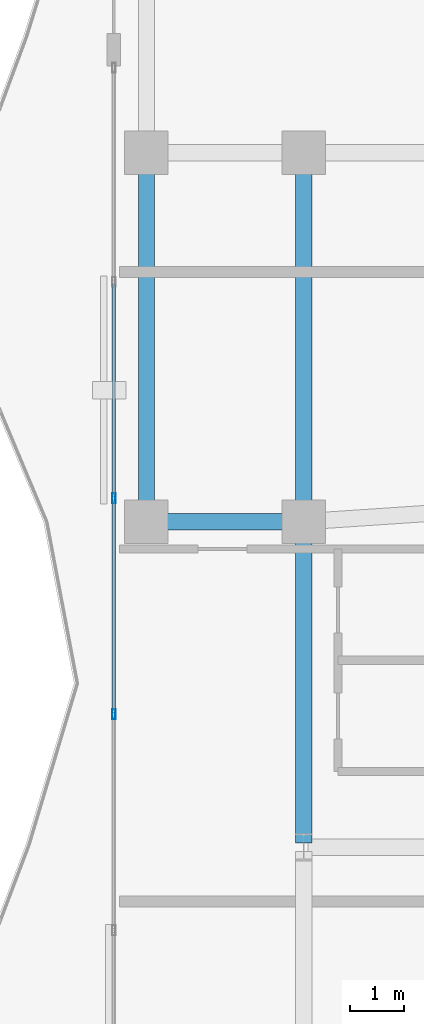
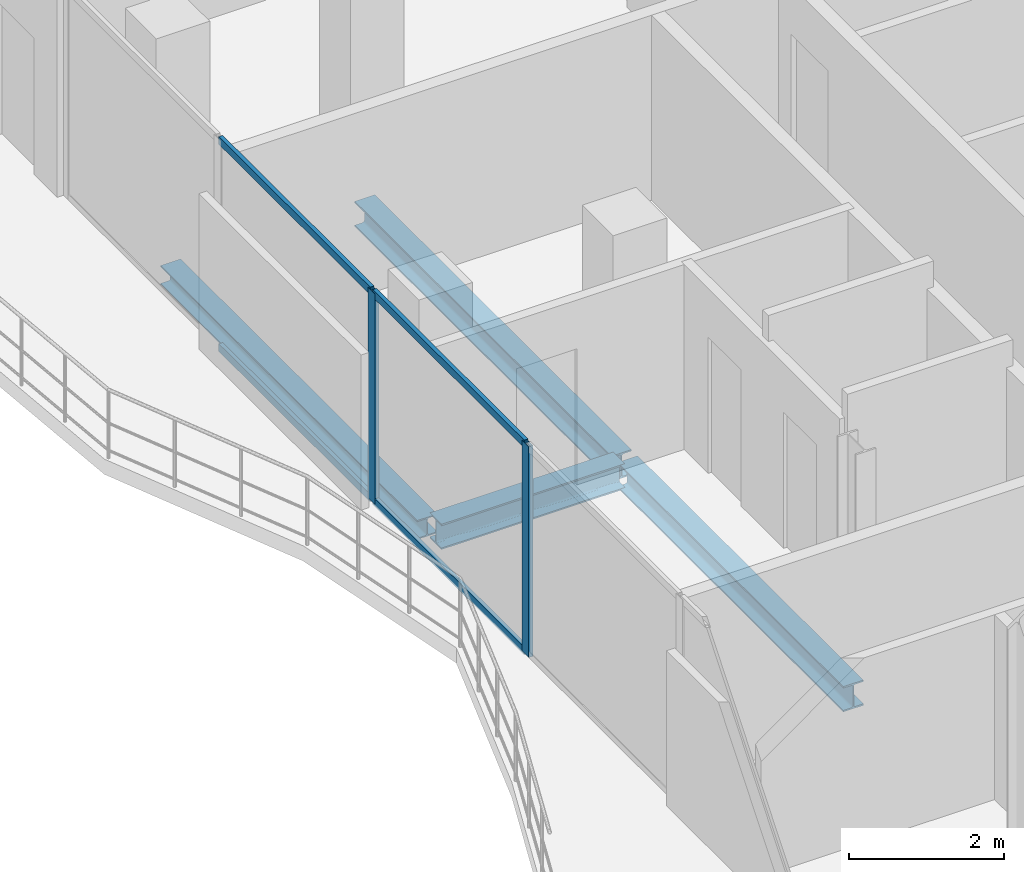
# One storey, part 7 of 23: 6 members, 4 beams, 1 element without a shape of its own.
"""IFC4 building model written with IfcOpenShell, lengths in metres."""

import ifcopenshell
import ifcopenshell.guid

model = None  # the IFC model being written
_history = None  # IfcOwnerHistory: only IFC2X3 demands one
_inside = {}  # id of a spatial element -> (the spatial element, [elements in it])
_under = {}  # id of a project, library or spatial element -> (it, [spatial elements below it])
_declared = {}  # id of a project -> (the project, [libraries it declares])
_typed = {}  # id of a type object -> (the type object, [elements of that type])
_made_of = {}  # id of a material, layer set ... -> (it, [elements and type objects made of it])


def new_model(schema):
    """Start an empty IFC model of exactly this schema.

    Asked for "IFC4X3", IfcOpenShell would pick the latest addendum, in which some entities
    have other attributes; the version numbers below select the first issue.
    IFC2X3 requires an IfcOwnerHistory on every rooted entity: one is made here for all.
    """
    global model, _history
    if schema == "IFC4X3":
        model = ifcopenshell.file(schema_version=(4, 3, 0, 0))
    else:
        model = ifcopenshell.file(schema=schema)
    _inside.clear()
    _under.clear()
    _declared.clear()
    _typed.clear()
    _made_of.clear()
    _history = None
    if model.schema == "IFC2X3":
        org = make("IfcOrganization", Name="unknown")
        user = make(
            "IfcPersonAndOrganization",
            ThePerson=make("IfcPerson", FamilyName="unknown"),
            TheOrganization=org,
        )
        app = make(
            "IfcApplication",
            ApplicationDeveloper=org,
            Version="unknown",
            ApplicationFullName="unknown",
            ApplicationIdentifier="unknown",
        )
        _history = make(
            "IfcOwnerHistory",
            OwningUser=user,
            OwningApplication=app,
            ChangeAction="ADDED",
            CreationDate=0,
        )
    return model


def make(cls, **values):
    """One entity of the class cls with the attributes given. An attribute that is None is left unset."""
    return model.create_entity(
        cls, **{name: value for name, value in values.items() if value is not None}
    )


def rooted(cls, **values):
    """An entity with a GlobalId (a new one), such as an element, a storey or a relation."""
    return make(cls, GlobalId=ifcopenshell.guid.new(), OwnerHistory=_history, **values)


def si_unit(unit_type, name, prefix=None):
    """IfcSIUnit, for example si_unit("LENGTHUNIT", "METRE", prefix="MILLI")."""
    return make("IfcSIUnit", UnitType=unit_type, Prefix=prefix, Name=name)


def assignment(units):
    """IfcUnitAssignment: the units of a project."""
    return None if units is None else make("IfcUnitAssignment", Units=units)


def point(xyz):
    """IfcCartesianPoint."""
    return None if xyz is None else make("IfcCartesianPoint", Coordinates=xyz)


def direction(xyz):
    """IfcDirection."""
    return None if xyz is None else make("IfcDirection", DirectionRatios=xyz)


def frame(location, z_axis=None, x_axis=None):
    """IfcAxis2Placement3D, a coordinate frame: its origin and axes. An axis left out is left unset."""
    return make(
        "IfcAxis2Placement3D",
        Location=point(location),
        Axis=direction(z_axis),
        RefDirection=direction(x_axis),
    )


def frame_2d(location, x_axis=None):
    """IfcAxis2Placement2D, a coordinate frame in the plane: its origin and x axis."""
    return make(
        "IfcAxis2Placement2D", Location=point(location), RefDirection=direction(x_axis)
    )


def origin():
    """The frame at (0, 0, 0) with its axes left unset."""
    return frame((0.0, 0.0, 0.0))


def origin_2d():
    """The frame at (0, 0) in the plane with its x axis left unset."""
    return frame_2d((0.0, 0.0))


def place(relative_to, where):
    """IfcLocalPlacement: puts the frame where relative to a parent placement (None: the world)."""
    return make(
        "IfcLocalPlacement", PlacementRelTo=relative_to, RelativePlacement=where
    )


def context(
    kind, dimensions, precision=None, world=None, true_north=None, identifier=None
):
    """IfcGeometricRepresentationContext, for example the 3D "Model" context."""
    return make(
        "IfcGeometricRepresentationContext",
        ContextIdentifier=identifier,
        ContextType=kind,
        CoordinateSpaceDimension=dimensions,
        Precision=precision,
        WorldCoordinateSystem=world,
        TrueNorth=true_north,
    )


def subcontext(parent, identifier, kind, view, scale=None):
    """IfcGeometricRepresentationSubContext, for example "Body" below "Model"."""
    return make(
        "IfcGeometricRepresentationSubContext",
        ContextIdentifier=identifier,
        ContextType=kind,
        ParentContext=parent,
        TargetScale=scale,
        TargetView=view,
    )


def project(units=None, contexts=None):
    """IfcProject with its units and contexts."""
    return rooted(
        "IfcProject",
        Name="project",
        RepresentationContexts=contexts,
        UnitsInContext=assignment(units),
    )


def spatial(cls, under=None, at=None, **own):
    """A site, building, storey or space (cls), placed at a placement, below another one or the project."""
    s = rooted(cls, ObjectPlacement=at, **own)
    if under is not None:
        _under.setdefault(under.id(), (under, []))[1].append(s)
    return s


def profile(cls, at=None, kind="AREA", **sizes):
    """A parametric profile (cls). Its sizes go by their IFC names, for example OverallWidth=200.0."""
    return make(cls, ProfileType=kind, Position=at, **sizes)


def hollow_rectangle(**sizes):
    """IfcRectangleHollowProfileDef."""
    return profile("IfcRectangleHollowProfileDef", **sizes)


def i_section(**sizes):
    """IfcIShapeProfileDef."""
    return profile("IfcIShapeProfileDef", **sizes)


def extrude(swept, where, along, depth):
    """IfcExtrudedAreaSolid: the profile swept, set in the frame where, extruded along a direction by depth."""
    return make(
        "IfcExtrudedAreaSolid",
        SweptArea=swept,
        Position=where,
        ExtrudedDirection=direction(along),
        Depth=depth,
    )


def shape(context_of_items, identifier, shape_type, items):
    """IfcShapeRepresentation: the items that make up one representation, for example the "Body"."""
    return make(
        "IfcShapeRepresentation",
        ContextOfItems=context_of_items,
        RepresentationIdentifier=identifier,
        RepresentationType=shape_type,
        Items=items,
    )


def material(Name=None, Category=None):
    """IfcMaterial."""
    return make("IfcMaterial", Name=Name, Category=Category)


def layer(
    of_material, thickness, ventilated=None, Name=None, Category=None, Priority=None
):
    """IfcMaterialLayer: one layer of a wall or slab, of a material (None: an air gap)."""
    return make(
        "IfcMaterialLayer",
        Material=of_material,
        LayerThickness=thickness,
        IsVentilated=ventilated,
        Name=Name,
        Category=Category,
        Priority=Priority,
    )


def layer_set(layers, Name=None):
    """IfcMaterialLayerSet."""
    return make("IfcMaterialLayerSet", MaterialLayers=layers, LayerSetName=Name)


def material_profile(
    of_material, cross_section, Name=None, Category=None, Priority=None
):
    """IfcMaterialProfile: a cross section and its material."""
    return make(
        "IfcMaterialProfile",
        Name=Name,
        Material=of_material,
        Profile=cross_section,
        Priority=Priority,
        Category=Category,
    )


def profile_set(profiles, Name=None, composite=None):
    """IfcMaterialProfileSet."""
    return make(
        "IfcMaterialProfileSet",
        Name=Name,
        MaterialProfiles=profiles,
        CompositeProfile=composite,
    )


def made_of(thing, what):
    """Note that an element or type object is made of a material, layer set ...; save() writes the relation."""
    if what is not None:
        _made_of.setdefault(what.id(), (what, []))[1].append(thing)
    return thing


def type_object(cls, material=None, **own):
    """A type object (cls), such as IfcWallType, which elements share."""
    return made_of(rooted(cls, **own), material)


def element(
    cls,
    number,
    at=None,
    inside=None,
    cuts=None,
    type_object=None,
    material=None,
    context=None,
    identifier="Body",
    shape_type=None,
    held_by="IfcProductDefinitionShape",
    body=None,
    shapes=None,
    **own,
):
    """One element of the class cls, such as IfcWall. Its Tag is "e" and its number.

    at: its placement. inside: the storey or other place that contains it. cuts: it is an
    opening in that element (IfcRelVoidsElement). A single representation is given by context,
    identifier, shape_type and body (its items); several are given by shapes. held_by: the class
    of the entity that holds the representations. save() writes the other relations.
    """
    e = rooted(cls, Tag="e%d" % number, ObjectPlacement=at, **own)
    if body is not None:
        shapes = [shape(context, identifier, shape_type, body)]
    if shapes is not None:
        e.Representation = make(held_by, Representations=shapes)
    if inside is not None:
        _inside.setdefault(inside.id(), (inside, []))[1].append(e)
    if cuts is not None:
        rooted(
            "IfcRelVoidsElement", RelatingBuildingElement=cuts, RelatedOpeningElement=e
        )
    if type_object is not None:
        _typed.setdefault(type_object.id(), (type_object, []))[1].append(e)
    return made_of(e, material)


def aggregate(whole, parts):
    """IfcRelAggregates: a whole, such as a stair, and the parts it consists of."""
    return rooted("IfcRelAggregates", RelatingObject=whole, RelatedObjects=parts)


def save(model, path):
    """Write the relations noted so far, then the file.

    IfcRelAggregates (storeys below a building ...), IfcRelContainedInSpatialStructure (elements
    in a storey), IfcRelDefinesByType, IfcRelAssociatesMaterial and IfcRelDeclares: one each for
    every whole, place, type object, material and project.
    """
    for whole, parts in _under.values():
        aggregate(whole, parts)
    for where, things in _inside.values():
        rooted(
            "IfcRelContainedInSpatialStructure",
            RelatedElements=things,
            RelatingStructure=where,
        )
    for kind, things in _typed.values():
        rooted("IfcRelDefinesByType", RelatedObjects=things, RelatingType=kind)
    for what, things in _made_of.values():
        rooted("IfcRelAssociatesMaterial", RelatedObjects=things, RelatingMaterial=what)
    for by, libraries in _declared.values():
        rooted("IfcRelDeclares", RelatingContext=by, RelatedDefinitions=libraries)
    model.write(path)


model = new_model("IFC4")

# Units and contexts
model_context = context("Model", 3, precision=1e-05, world=origin(), true_north=direction((0.0, 1.0)))
body_context = subcontext(model_context, "Body", "Model", "MODEL_VIEW")
ifc_project = project(units=[si_unit("LENGTHUNIT", "METRE"), si_unit("AREAUNIT", "SQUARE_METRE"), si_unit("VOLUMEUNIT", "CUBIC_METRE"), si_unit("PLANEANGLEUNIT", "RADIAN"), si_unit("MASSUNIT", "GRAM", prefix="KILO")], contexts=[model_context])

# Site, building, storey
site_placement = place(None, origin())
site = spatial("IfcSite", under=ifc_project, at=site_placement, CompositionType="ELEMENT")
building_placement = place(site_placement, origin())
building = spatial("IfcBuilding", under=site, at=building_placement, Name="Catumbela Crestline Tower", CompositionType="ELEMENT")
storey_placement = place(building_placement, frame((0.0, 0.0, 172.2)))
storey = spatial("IfcBuildingStorey", under=building, at=storey_placement, Name="L44", CompositionType="ELEMENT", Elevation=172.2)

# Beams
ifc_material_1 = material(Name="Structural steel S355J2", Category="steel")
ifc_material_profile_1 = material_profile(ifc_material_1, i_section(OverallWidth=0.3, OverallDepth=0.4, WebThickness=0.0135, FlangeThickness=0.024, FilletRadius=0.027, at=origin_2d()), Name="HEB 400")
ifc_profile_set_1 = profile_set([ifc_material_profile_1], Name="Structural steel S355J2")
beam_type_1 = type_object("IfcBeamType", Name="BG-HEB400", PredefinedType="BEAM", material=ifc_profile_set_1)
beam_1_placement = place(storey_placement, frame((5.68, 24.0, -0.46), z_axis=(1.0, 0.0, 0.0), x_axis=(0.0, 1.0, 0.0)))
element("IfcBeam", 1, at=beam_1_placement, inside=storey, type_object=beam_type_1, Name="L44 Beam BM-L44-S01", PredefinedType="BEAM", context=body_context, shape_type="SweptSolid", body=[
    extrude(i_section(OverallWidth=0.3, OverallDepth=0.4, WebThickness=0.0135, FlangeThickness=0.024, FilletRadius=0.027, at=origin_2d()), origin(), (0.0, 0.0, 1.0), 2.74),
])
beam_2_placement = place(storey_placement, frame((8.5, 24.08, -0.46), z_axis=(0.0, 1.0, 0.0), x_axis=(-1.0, 0.0, 0.0)))
element("IfcBeam", 2, at=beam_2_placement, inside=storey, type_object=beam_type_1, Name="L44 Beam BM-L44-SN16", PredefinedType="BEAM", context=body_context, shape_type="SweptSolid", body=[
    extrude(i_section(OverallWidth=0.3, OverallDepth=0.4, WebThickness=0.0135, FlangeThickness=0.024, FilletRadius=0.027, at=origin_2d()), origin(), (0.0, 0.0, 1.0), 6.64),
])
beam_3_placement = place(storey_placement, frame((8.5, 18.08, -0.46), z_axis=(0.0, 1.0, 0.0), x_axis=(-1.0, 0.0, 0.0)))
element("IfcBeam", 3, at=beam_3_placement, inside=storey, type_object=beam_type_1, Name="L44 Beam BM-L44-WNS39", PredefinedType="BEAM", context=body_context, shape_type="SweptSolid", body=[
    extrude(i_section(OverallWidth=0.3, OverallDepth=0.4, WebThickness=0.0135, FlangeThickness=0.024, FilletRadius=0.027, at=origin_2d()), origin(), (0.0, 0.0, 1.0), 5.84),
])

# Curtain wall, members
ifc_material_2 = material(Name="Aluminium alloy AW-6060-T66", Category="aluminium")
ifc_layer = layer(ifc_material_2, 0.18, Name="Aluminium alloy AW-6060-T66")
ifc_layer_set = layer_set([ifc_layer], Name="Aluminium alloy AW-6060-T66")
curtain_wall_type = type_object("IfcCurtainWallType", Name="CWU-Z3", PredefinedType="USERDEFINED", material=ifc_layer_set)
curtain_wall_placement = place(storey_placement, origin())
curtain_wall = element("IfcCurtainWall", 4, at=curtain_wall_placement, inside=storey, type_object=curtain_wall_type, Name="L44 Unitised Curtain Wall CW-L44-E9S2", ObjectType="UNITISED", PredefinedType="USERDEFINED")
ifc_material_profile_2 = material_profile(ifc_material_2, hollow_rectangle(XDim=0.065, YDim=0.18, WallThickness=0.004, at=origin_2d()), Name="ALU 180x65x4")
ifc_profile_set_2 = profile_set([ifc_material_profile_2], Name="Aluminium alloy AW-6060-T66")
member_type_1 = type_object("IfcMemberType", Name="MUL-180X65", PredefinedType="MULLION", material=ifc_profile_set_2)
member_1_placement = place(storey_placement, frame((5.0, 24.4333, 0.0), z_axis=(0.0, 0.0, 1.0), x_axis=(1.0, 0.0, 0.0)))
member_1 = element("IfcMember", 5, at=member_1_placement, type_object=member_type_1, Name="CWU-Z3 mullion 3", PredefinedType="MULLION", context=body_context, shape_type="SweptSolid", body=[
    extrude(hollow_rectangle(XDim=0.065, YDim=0.18, WallThickness=0.004, at=origin_2d()), origin(), (0.0, 0.0, 1.0), 3.33),
])
member_2_placement = place(storey_placement, frame((5.0, 20.45, 0.0), z_axis=(0.0, 0.0, 1.0), x_axis=(1.0, 0.0, 0.0)))
member_2 = element("IfcMember", 6, at=member_2_placement, type_object=member_type_1, Name="CWU-Z3 mullion 4", PredefinedType="MULLION", context=body_context, shape_type="SweptSolid", body=[
    extrude(hollow_rectangle(XDim=0.065, YDim=0.18, WallThickness=0.004, at=origin_2d()), origin(), (0.0, 0.0, 1.0), 3.33),
])

# Beam
ifc_material_profile_3 = material_profile(ifc_material_1, i_section(OverallWidth=0.3, OverallDepth=0.3, WebThickness=0.011, FlangeThickness=0.019, FilletRadius=0.027, at=origin_2d()), Name="HEB 300")
ifc_profile_set_3 = profile_set([ifc_material_profile_3], Name="Structural steel S355J2")
beam_type_2 = type_object("IfcBeamType", Name="BS-HEB300", PredefinedType="SPANDREL", material=ifc_profile_set_3)
beam_4_placement = place(storey_placement, frame((5.6, 24.08, -0.41), z_axis=(0.0, 1.0, 0.0), x_axis=(-1.0, 0.0, 0.0)))
element("IfcBeam", 7, at=beam_4_placement, inside=storey, type_object=beam_type_2, Name="L44 Spandrel SP-L44-SN14", PredefinedType="SPANDREL", context=body_context, shape_type="SweptSolid", body=[
    extrude(i_section(OverallWidth=0.3, OverallDepth=0.3, WebThickness=0.011, FlangeThickness=0.019, FilletRadius=0.027, at=origin_2d()), origin(), (0.0, 0.0, 1.0), 6.64),
])

# Member
ifc_material_profile_4 = material_profile(ifc_material_2, hollow_rectangle(XDim=0.06, YDim=0.12, WallThickness=0.0035, at=origin_2d()), Name="ALU 120x60x3.5")
ifc_profile_set_4 = profile_set([ifc_material_profile_4], Name="Aluminium alloy AW-6060-T66")
member_type_2 = type_object("IfcMemberType", Name="TRN-120X60", PredefinedType="USERDEFINED", material=ifc_profile_set_4)
member_3_placement = place(storey_placement, frame((5.0, 28.3842, 0.03), z_axis=(0.0, -1.0, 0.0), x_axis=(1.0, 0.0, 0.0)))
member_3 = element("IfcMember", 8, at=member_3_placement, type_object=member_type_2, Name="CWU-Z3 transom 2.1", ObjectType="TRANSOM", PredefinedType="USERDEFINED", context=body_context, shape_type="SweptSolid", body=[
    extrude(hollow_rectangle(XDim=0.06, YDim=0.12, WallThickness=0.0035, at=origin_2d()), origin(), (0.0, 0.0, 1.0), 3.9184),
])

member_4_placement = place(storey_placement, frame((5.0, 28.3842, 3.3), z_axis=(0.0, -1.0, 0.0), x_axis=(1.0, 0.0, 0.0)))
member_4 = element("IfcMember", 9, at=member_4_placement, type_object=member_type_2, Name="CWU-Z3 transom 2.2", ObjectType="TRANSOM", PredefinedType="USERDEFINED", context=body_context, shape_type="SweptSolid", body=[
    extrude(hollow_rectangle(XDim=0.06, YDim=0.12, WallThickness=0.0035, at=origin_2d()), origin(), (0.0, 0.0, 1.0), 3.9184),
])

member_5_placement = place(storey_placement, frame((5.0, 24.4008, 0.03), z_axis=(0.0, -1.0, 0.0), x_axis=(1.0, 0.0, 0.0)))
member_5 = element("IfcMember", 10, at=member_5_placement, type_object=member_type_2, Name="CWU-Z3 transom 3.1", ObjectType="TRANSOM", PredefinedType="USERDEFINED", context=body_context, shape_type="SweptSolid", body=[
    extrude(hollow_rectangle(XDim=0.06, YDim=0.12, WallThickness=0.0035, at=origin_2d()), origin(), (0.0, 0.0, 1.0), 3.9183),
])

member_6_placement = place(storey_placement, frame((5.0, 24.4008, 3.3), z_axis=(0.0, -1.0, 0.0), x_axis=(1.0, 0.0, 0.0)))
member_6 = element("IfcMember", 11, at=member_6_placement, type_object=member_type_2, Name="CWU-Z3 transom 3.2", ObjectType="TRANSOM", PredefinedType="USERDEFINED", context=body_context, shape_type="SweptSolid", body=[
    extrude(hollow_rectangle(XDim=0.06, YDim=0.12, WallThickness=0.0035, at=origin_2d()), origin(), (0.0, 0.0, 1.0), 3.9183),
])

aggregate(curtain_wall, [member_1, member_2, member_3, member_4, member_5, member_6])

save(model, "model.ifc")
